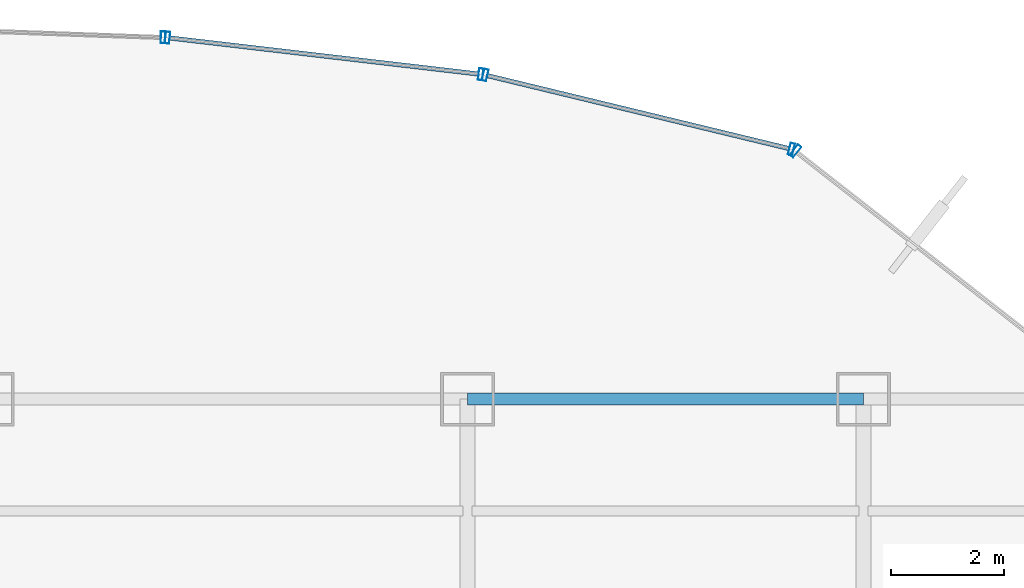
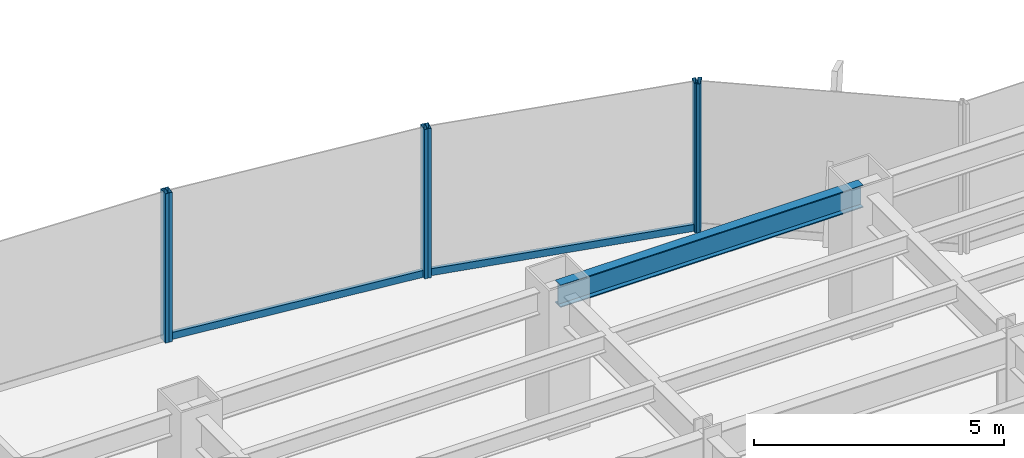
# One storey, part 15 of 23: 8 members, 1 beam, 4 elements without a shape of their own.
"""IFC4 building model written with IfcOpenShell, lengths in metres."""

from ifc_helpers import new_model, si_unit, derived_unit, direction, frame, origin, origin_2d, place, context, subcontext, project, spatial, hollow_rectangle, i_section, extrude, source, transform, mapped, material, material_profile, profile_set, type_object, element, aggregate, save


model = new_model("IFC4")

# Units and contexts
model_context = context("Model", 3, precision=1e-05, world=origin(), true_north=direction((0.0, 1.0)))
body_context = subcontext(model_context, "Body", "Model", "MODEL_VIEW")
ifc_project = project(units=[si_unit("LENGTHUNIT", "METRE"), si_unit("AREAUNIT", "SQUARE_METRE"), si_unit("VOLUMEUNIT", "CUBIC_METRE"), si_unit("PLANEANGLEUNIT", "RADIAN"), si_unit("MASSUNIT", "GRAM", prefix="KILO"), derived_unit("THERMALTRANSMITTANCEUNIT", [(si_unit("POWERUNIT", "WATT"), 1), (si_unit("LENGTHUNIT", "METRE"), -2), (si_unit("THERMODYNAMICTEMPERATUREUNIT", "KELVIN"), -1)])], contexts=[model_context])

# Site, building, storey
site_placement = place(None, origin())
site = spatial("IfcSite", under=ifc_project, at=site_placement, CompositionType="ELEMENT")
building_placement = place(site_placement, origin())
building = spatial("IfcBuilding", under=site, at=building_placement, Name="Skarnbrae Concourse Arena and Tower", CompositionType="ELEMENT")
storey_placement = place(building_placement, frame((0.0, 0.0, 47.10009765625)))
storey = spatial("IfcBuildingStorey", under=building, at=storey_placement, Name="L10", CompositionType="ELEMENT", Elevation=47.10009765625)

# Beam
ifc_material_1 = material(Name="Steel CSA G40.21 350W", Category="steel")
ifc_material_profile_1 = material_profile(ifc_material_1, i_section(OverallWidth=0.214111328125, OverallDepth=0.549072265625, WebThickness=0.0146484375, FlangeThickness=0.023681640625, at=origin_2d()), Name="W530X138")
ifc_profile_set_1 = profile_set([ifc_material_profile_1], Name="Steel CSA G40.21 350W")
beam_type = type_object("IfcBeamType", Name="BM-SPAN-W530X138", PredefinedType="SPANDREL", material=ifc_profile_set_1)
shared_shape_1 = source(origin(), body_context, "Body", "SweptSolid", [
    extrude(i_section(OverallWidth=0.214111328125, OverallDepth=0.549072265625, WebThickness=0.0146484375, FlangeThickness=0.023681640625, at=origin_2d()), origin(), (0.0, 0.0, 1.0), 7.0),
])
beam_placement = place(storey_placement, frame((42.0, 40.39990234375, 3.12548828125), z_axis=(1.0, 0.0, 0.0), x_axis=(0.0, 1.0, 0.0)))
element("IfcBeam", 1, at=beam_placement, inside=storey, type_object=beam_type, Name="L10 Perimeter spandrel Y40.4-6", PredefinedType="SPANDREL", context=body_context, shape_type="MappedRepresentation", body=[
    mapped(shared_shape_1, transform((0.0, 0.0, 0.0))),
])

# Curtain wall, member
ifc_material_2 = material(Name="Bronze anodised aluminium 6063-T6", Category="aluminium")
curtain_wall_type_1 = type_object("IfcCurtainWallType", Name="CW-SYS-02-LOWZONE", PredefinedType="USERDEFINED", material=ifc_material_2)
curtain_wall_1_placement = place(storey_placement, origin())
curtain_wall_1 = element("IfcCurtainWall", 2, at=curtain_wall_1_placement, inside=storey, type_object=curtain_wall_type_1, Name="L10 Unitised curtain wall CW-L10-E08", ObjectType="UNITISED CURTAIN WALL", PredefinedType="USERDEFINED")
ifc_material_profile_2 = material_profile(ifc_material_2, hollow_rectangle(XDim=0.080078125, YDim=0.239990234375, WallThickness=0.0048828125, at=origin_2d()), Name="ALU-MULL-80X240")
ifc_profile_set_2 = profile_set([ifc_material_profile_2], Name="Bronze anodised aluminium 6063-T6")
member_type_1 = type_object("IfcMemberType", Name="CWM-CW-02", PredefinedType="MULLION", material=ifc_profile_set_2)
shared_shape_2 = source(origin(), body_context, "Body", "SweptSolid", [
    extrude(hollow_rectangle(XDim=0.080078125, YDim=0.239990234375, WallThickness=0.0048828125, at=origin_2d()), origin(), (0.0, 0.0, 1.0), 3.64990234375),
])
member_1_placement = place(storey_placement, frame((47.7978515625, 44.787109375, 0.0), z_axis=(0.0, 0.0, 1.0), x_axis=(-0.787651726054, 0.616120733658, 0.0)))
member_1 = element("IfcMember", 3, at=member_1_placement, type_object=member_type_1, Name="CW-L10-E08 Mullion 2", PredefinedType="MULLION", context=body_context, shape_type="MappedRepresentation", body=[
    mapped(shared_shape_2, transform((0.0, 0.0, 0.0))),
])
aggregate(curtain_wall_1, [member_1])

curtain_wall_type_2 = type_object("IfcCurtainWallType", Name="CW-SYS-03-PORTAL", PredefinedType="USERDEFINED", material=ifc_material_2)
curtain_wall_2_placement = place(storey_placement, origin())
curtain_wall_2 = element("IfcCurtainWall", 4, at=curtain_wall_2_placement, inside=storey, type_object=curtain_wall_type_2, Name="L10 Unitised curtain wall CW-L10-E09", ObjectType="UNITISED CURTAIN WALL", PredefinedType="USERDEFINED")
ifc_material_profile_3 = material_profile(ifc_material_2, hollow_rectangle(XDim=0.080078125, YDim=0.169921875, WallThickness=0.00439453125, at=origin_2d()), Name="ALU-TRAN-80X170")
ifc_profile_set_3 = profile_set([ifc_material_profile_3], Name="Bronze anodised aluminium 6063-T6")
member_type_2 = type_object("IfcMemberType", Name="CWT-CW-03", PredefinedType="USERDEFINED", material=ifc_profile_set_3)
shared_shape_3 = source(origin(), body_context, "Body", "SweptSolid", [
    extrude(hollow_rectangle(XDim=0.080078125, YDim=0.169921875, WallThickness=0.00439453125, at=origin_2d()), origin(), (0.0, 0.0, 1.0), 5.4921875),
])
member_2_placement = place(storey_placement, frame((47.6884765625, 44.83056640625, 0.0849609375), z_axis=(-0.971980728004, 0.235060554728, 0.0), x_axis=(-0.235060554728, -0.971980728004, 0.0)))
member_2 = element("IfcMember", 5, at=member_2_placement, type_object=member_type_2, Name="CW-L10-E09 Transom 1", ObjectType="TRANSOM", PredefinedType="USERDEFINED", context=body_context, shape_type="MappedRepresentation", body=[
    mapped(shared_shape_3, transform((0.0, 0.0, 0.0))),
])

curtain_wall_3_placement = place(storey_placement, origin())
curtain_wall_3 = element("IfcCurtainWall", 6, at=curtain_wall_3_placement, inside=storey, type_object=curtain_wall_type_2, Name="L10 Unitised curtain wall CW-L10-E10", ObjectType="UNITISED CURTAIN WALL", PredefinedType="USERDEFINED")
shared_shape_4 = source(origin(), body_context, "Body", "SweptSolid", [
    extrude(hollow_rectangle(XDim=0.080078125, YDim=0.169921875, WallThickness=0.00439453125, at=origin_2d()), origin(), (0.0, 0.0, 1.0), 5.49658203125),
])
member_3_placement = place(storey_placement, frame((42.19287109375, 46.14990234375, 0.0849609375), z_axis=(-0.993247281455, 0.116016541417, 0.0), x_axis=(-0.116016541417, -0.993247281455, 0.0)))
member_3 = element("IfcMember", 7, at=member_3_placement, type_object=member_type_2, Name="CW-L10-E10 Transom 1", ObjectType="TRANSOM", PredefinedType="USERDEFINED", context=body_context, shape_type="MappedRepresentation", body=[
    mapped(shared_shape_4, transform((0.0, 0.0, 0.0))),
])

# Member
ifc_material_profile_4 = material_profile(ifc_material_2, hollow_rectangle(XDim=0.080078125, YDim=0.2099609375, WallThickness=0.00439453125, at=origin_2d()), Name="ALU-MULL-80X210")
ifc_profile_set_4 = profile_set([ifc_material_profile_4], Name="Bronze anodised aluminium 6063-T6")
member_type_3 = type_object("IfcMemberType", Name="CWM-CW-03", PredefinedType="MULLION", material=ifc_profile_set_4)
shared_shape_5 = source(origin(), body_context, "Body", "SweptSolid", [
    extrude(hollow_rectangle(XDim=0.080078125, YDim=0.2099609375, WallThickness=0.00439453125, at=origin_2d()), origin(), (0.0, 0.0, 1.0), 3.64990234375),
])
member_4_placement = place(storey_placement, frame((47.727294921875, 44.821044921875, 0.0), z_axis=(0.0, 0.0, 1.0), x_axis=(-0.971973721569, 0.235089524607, 0.0)))
member_4 = element("IfcMember", 8, at=member_4_placement, type_object=member_type_3, Name="CW-L10-E09 Mullion 1", PredefinedType="MULLION", context=body_context, shape_type="MappedRepresentation", body=[
    mapped(shared_shape_5, transform((0.0, 0.0, 0.0))),
])

member_5_placement = place(storey_placement, frame((42.311279296875, 46.131103515625, 0.0), z_axis=(0.0, 0.0, 1.0), x_axis=(-0.971973721569, 0.235089524607, 0.0)))
member_5 = element("IfcMember", 9, at=member_5_placement, type_object=member_type_3, Name="CW-L10-E09 Mullion 2", PredefinedType="MULLION", context=body_context, shape_type="MappedRepresentation", body=[
    mapped(shared_shape_5, transform((0.0, 0.0, 0.0))),
])

aggregate(curtain_wall_2, [member_4, member_5, member_2])

member_6_placement = place(storey_placement, frame((42.232666015625, 46.14501953125, 0.0), z_axis=(0.0, 0.0, 1.0), x_axis=(-0.99324457001, 0.116039752435, 0.0)))
member_6 = element("IfcMember", 10, at=member_6_placement, type_object=member_type_3, Name="CW-L10-E10 Mullion 1", PredefinedType="MULLION", context=body_context, shape_type="MappedRepresentation", body=[
    mapped(shared_shape_5, transform((0.0, 0.0, 0.0))),
])

member_7_placement = place(storey_placement, frame((36.693603515625, 46.792236328125, 0.0), z_axis=(0.0, 0.0, 1.0), x_axis=(-0.99324457001, 0.116039752435, 0.0)))
member_7 = element("IfcMember", 11, at=member_7_placement, type_object=member_type_3, Name="CW-L10-E10 Mullion 2", PredefinedType="MULLION", context=body_context, shape_type="MappedRepresentation", body=[
    mapped(shared_shape_5, transform((0.0, 0.0, 0.0))),
])

aggregate(curtain_wall_3, [member_6, member_7, member_3])

# Curtain wall, member
curtain_wall_4_placement = place(storey_placement, origin())
curtain_wall_4 = element("IfcCurtainWall", 12, at=curtain_wall_4_placement, inside=storey, type_object=curtain_wall_type_2, Name="L10 Unitised curtain wall CW-L10-E11", ObjectType="UNITISED CURTAIN WALL", PredefinedType="USERDEFINED")
member_8_placement = place(storey_placement, frame((36.614013671875, 46.79833984375, 0.0), z_axis=(0.0, 0.0, 1.0), x_axis=(-0.999355425188, 0.035898943527, 0.0)))
member_8 = element("IfcMember", 13, at=member_8_placement, type_object=member_type_3, Name="CW-L10-E11 Mullion 1", PredefinedType="MULLION", context=body_context, shape_type="MappedRepresentation", body=[
    mapped(shared_shape_5, transform((0.0, 0.0, 0.0))),
])
aggregate(curtain_wall_4, [member_8])

save(model, "model.ifc")
